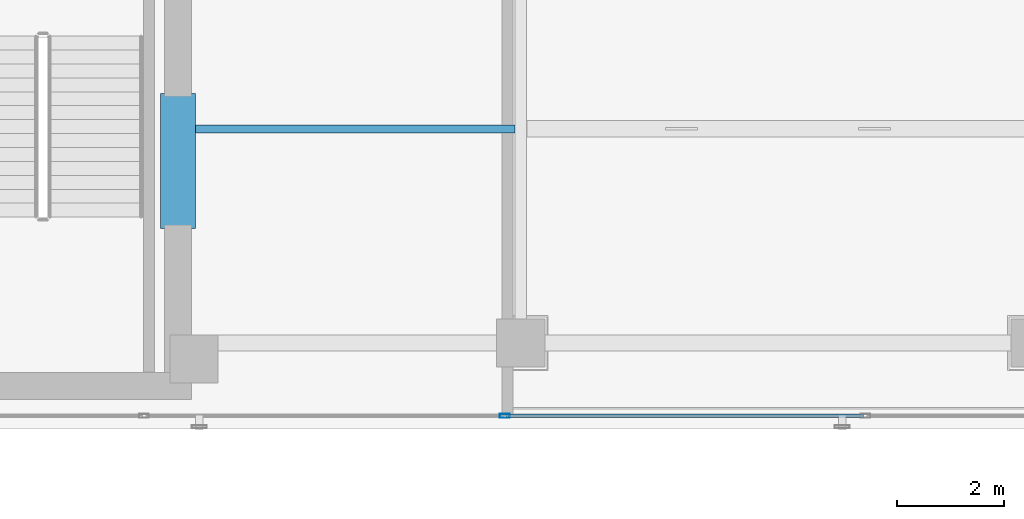
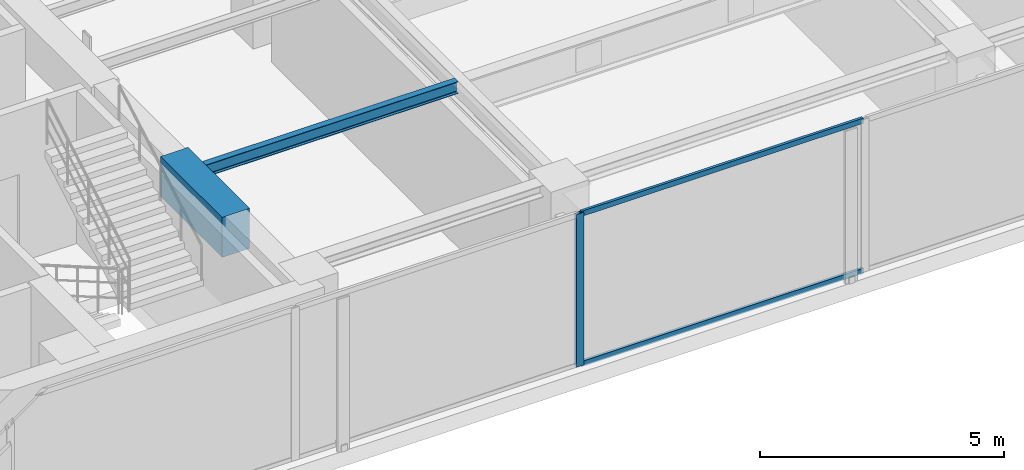
# One storey, part 6 of 32: 3 members, 2 beams, 1 element without a shape of its own.
"""IFC4 building model written with IfcOpenShell, lengths in metres."""

from ifc_helpers import new_model, si_unit, direction, frame, origin, origin_with_axes, origin_2d, place, context, subcontext, project, spatial, rectangle, hollow_rectangle, i_section, extrude, source, transform, mapped, material, layer, layer_set, material_profile, profile_set, type_object, element, aggregate, save


model = new_model("IFC4")

# Units and contexts
model_context = context("Model", 3, precision=1e-05, world=origin(), true_north=direction((0.0, 1.0)))
body_context = subcontext(model_context, "Body", "Model", "MODEL_VIEW")
ifc_project = project(units=[si_unit("LENGTHUNIT", "METRE"), si_unit("AREAUNIT", "SQUARE_METRE"), si_unit("VOLUMEUNIT", "CUBIC_METRE"), si_unit("PLANEANGLEUNIT", "RADIAN"), si_unit("MASSUNIT", "GRAM", prefix="KILO")], contexts=[model_context])

# Site, building, storey
site_placement = place(None, origin())
site = spatial("IfcSite", under=ifc_project, at=site_placement, CompositionType="ELEMENT")
building_placement = place(site_placement, origin())
building = spatial("IfcBuilding", under=site, at=building_placement, Name="Kolvaren Waterfront Exchange", CompositionType="ELEMENT")
storey_placement = place(building_placement, frame((0.0, 0.0, 352.0)))
storey = spatial("IfcBuildingStorey", under=building, at=storey_placement, Name="L90", CompositionType="ELEMENT", Elevation=352.0)

# Beams
ifc_material_1 = material(Name="Steel S355", Category="steel")
ifc_material_profile_1 = material_profile(ifc_material_1, i_section(OverallWidth=0.14990234375, OverallDepth=0.300048828125, WebThickness=0.007080078125, FlangeThickness=0.0107421875, FilletRadius=0.014892578125, at=origin_2d()), Name="IPE300")
ifc_profile_set_1 = profile_set([ifc_material_profile_1], Name="Steel S355")
beam_type_1 = type_object("IfcBeamType", Name="STR-BM-IPE300", PredefinedType="JOIST", material=ifc_profile_set_1)
beam_1_placement = place(storey_placement, frame((21.10009765625, 9.199951171875, 3.669921875), z_axis=(1.0, 0.0, 0.0), x_axis=(0.0, 1.0, 0.0)))
element("IfcBeam", 1, at=beam_1_placement, inside=storey, type_object=beam_type_1, Name="L90 east-arm composite joist 1B", PredefinedType="JOIST", context=body_context, shape_type="SweptSolid", body=[
    extrude(i_section(OverallWidth=0.14990234375, OverallDepth=0.300048828125, WebThickness=0.007080078125, FlangeThickness=0.0107421875, FilletRadius=0.014892578125, at=origin_2d()), origin(), (0.0, 0.0, 1.0), 5.98779296875),
])
ifc_material_2 = material(Name="Concrete C60/75", Category="concrete")
ifc_material_profile_2 = material_profile(ifc_material_2, rectangle(XDim=0.64990234375, YDim=1.0, at=origin_2d()), Name="RC-CB-1000x650")
ifc_profile_set_2 = profile_set([ifc_material_profile_2], Name="Concrete C60/75")
beam_type_2 = type_object("IfcBeamType", Name="STR-CB-1000", PredefinedType="SPANDREL", material=ifc_profile_set_2)
beam_2_placement = place(storey_placement, frame((20.800048828125, 7.340087890625, 3.320068359375), z_axis=(0.0, 1.0, 0.0), x_axis=(-1.0, 0.0, 0.0)))
element("IfcBeam", 2, at=beam_2_placement, inside=storey, type_object=beam_type_2, Name="L90 core coupling beam 1", PredefinedType="SPANDREL", context=body_context, shape_type="SweptSolid", body=[
    extrude(rectangle(XDim=0.64990234375, YDim=1.0, at=origin_2d()), origin(), (0.0, 0.0, 1.0), 2.52001953125),
])

# Curtain wall, members
ifc_material_3 = material(Name="Anodised bronze aluminium 6063-T6", Category="aluminium")
ifc_layer = layer(ifc_material_3, 0.219970703125, Name="Anodised bronze aluminium 6063-T6")
ifc_layer_set = layer_set([ifc_layer], Name="Anodised bronze aluminium 6063-T6")
curtain_wall_type = type_object("IfcCurtainWallType", Name="ARC-CW-SYS5", PredefinedType="USERDEFINED", material=ifc_layer_set)
curtain_wall_placement = place(storey_placement, origin())
curtain_wall = element("IfcCurtainWall", 3, at=curtain_wall_placement, inside=storey, type_object=curtain_wall_type, Name="L90 stick curtain wall CW5 (CW-L90-S)", ObjectType="STICK CURTAIN WALL", PredefinedType="USERDEFINED")
ifc_material_profile_3 = material_profile(ifc_material_3, hollow_rectangle(XDim=0.06494140625, YDim=0.1298828125, WallThickness=0.00390625, at=origin_2d()), Name="ALU-TRN-130x65x4")
ifc_profile_set_3 = profile_set([ifc_material_profile_3], Name="Anodised bronze aluminium 6063-T6")
member_type_1 = type_object("IfcMemberType", Name="ARC-CWT-130", PredefinedType="USERDEFINED", material=ifc_profile_set_3)
shared_shape_1 = source(origin_with_axes(), body_context, "Body", "SweptSolid", [
    extrude(hollow_rectangle(XDim=0.06494140625, YDim=0.1298828125, WallThickness=0.00390625, at=origin_2d()), origin(), (0.0, 0.0, 1.0), 6.658447265625),
])
member_1_placement = place(storey_placement, frame((26.9375, 3.840087890625, 0.032470703125), z_axis=(1.0, 0.0, 0.0), x_axis=(0.0, 1.0, 0.0)))
member_1 = element("IfcMember", 4, at=member_1_placement, type_object=member_type_1, Name="CW5 transom 4.1", ObjectType="TRANSOM", PredefinedType="USERDEFINED", context=body_context, shape_type="MappedRepresentation", body=[
    mapped(shared_shape_1, transform((0.0, 0.0, 0.0), x_axis=(1.0, 0.0, 0.0), y_axis=(0.0, 1.0, 0.0), z_axis=(0.0, 0.0, 1.0), scale=1.0)),
])
member_2_placement = place(storey_placement, frame((26.9375, 3.840087890625, 3.78759765625), z_axis=(1.0, 0.0, 0.0), x_axis=(0.0, 1.0, 0.0)))
member_2 = element("IfcMember", 5, at=member_2_placement, type_object=member_type_1, Name="CW5 transom 4.2", ObjectType="TRANSOM", PredefinedType="USERDEFINED", context=body_context, shape_type="MappedRepresentation", body=[
    mapped(shared_shape_1, transform((0.0, 0.0, 0.0), x_axis=(1.0, 0.0, 0.0), y_axis=(0.0, 1.0, 0.0), z_axis=(0.0, 0.0, 1.0), scale=1.0)),
])
ifc_material_profile_4 = material_profile(ifc_material_3, hollow_rectangle(XDim=0.074951171875, YDim=0.179931640625, WallThickness=0.00439453125, at=origin_2d()), Name="ALU-MUL-180x75x4.5")
ifc_profile_set_4 = profile_set([ifc_material_profile_4], Name="Anodised bronze aluminium 6063-T6")
member_type_2 = type_object("IfcMemberType", Name="ARC-CWM-180", PredefinedType="MULLION", material=ifc_profile_set_4)
shared_shape_2 = source(origin_with_axes(), body_context, "Body", "SweptSolid", [
    extrude(hollow_rectangle(XDim=0.074951171875, YDim=0.179931640625, WallThickness=0.00439453125, at=origin_2d()), origin(), (0.0, 0.0, 1.0), 3.820068359375),
])
member_3_placement = place(storey_placement, frame((26.89990234375, 3.840087890625, 0.0), z_axis=(0.0, 0.0, 1.0), x_axis=(0.0, 1.0, 0.0)))
member_3 = element("IfcMember", 6, at=member_3_placement, type_object=member_type_2, Name="CW5 mullion 4", PredefinedType="MULLION", context=body_context, shape_type="MappedRepresentation", body=[
    mapped(shared_shape_2, transform((0.0, 0.0, 0.0), x_axis=(1.0, 0.0, 0.0), y_axis=(0.0, 1.0, 0.0), z_axis=(0.0, 0.0, 1.0), scale=1.0)),
])
aggregate(curtain_wall, [member_3, member_1, member_2])

save(model, "model.ifc")
